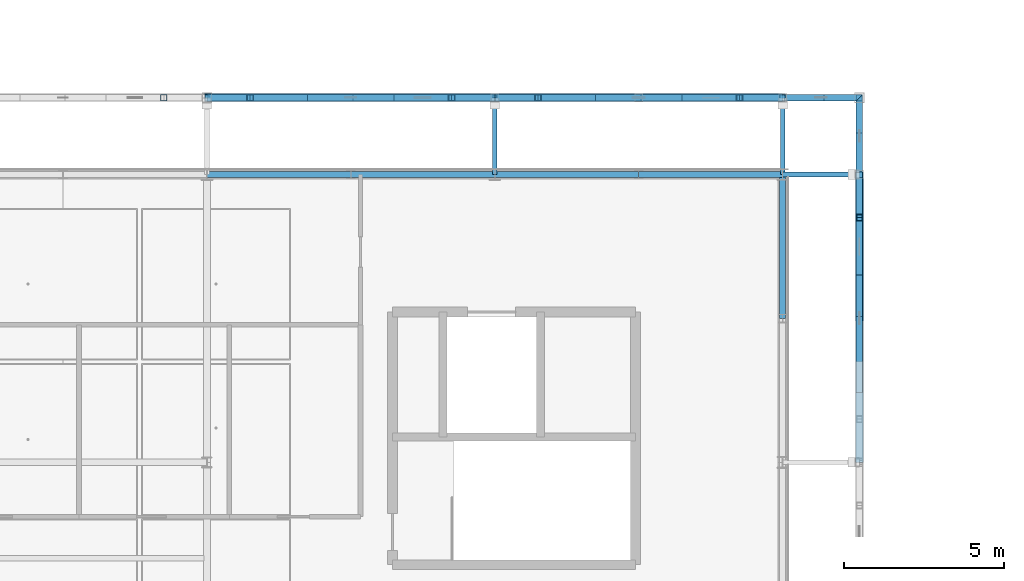
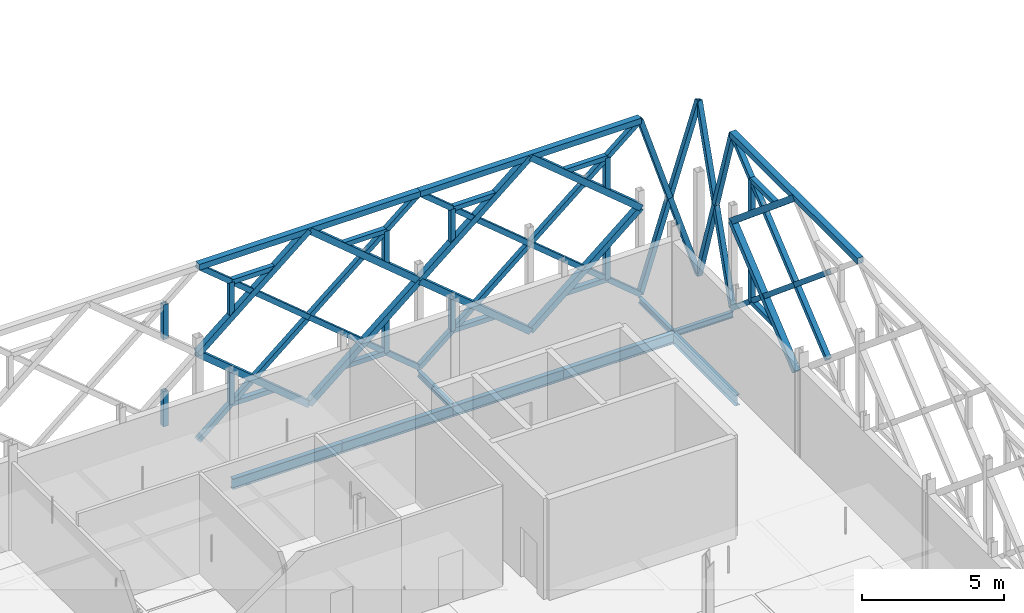
# One storey, part 26 of 66: 60 members, 8 beams.
"""IFC4 building model written with IfcOpenShell, lengths in metres."""

from ifc_helpers import new_model, si_unit, direction, frame, origin, origin_2d, place, context, subcontext, project, spatial, hollow_rectangle, i_section, extrude, material, material_profile, profile_set, type_object, element, save


model = new_model("IFC4")

# Units and contexts
model_context = context("Model", 3, precision=1e-05, world=origin(), true_north=direction((0.0, 1.0)))
body_context = subcontext(model_context, "Body", "Model", "MODEL_VIEW")
ifc_project = project(units=[si_unit("LENGTHUNIT", "METRE"), si_unit("AREAUNIT", "SQUARE_METRE"), si_unit("VOLUMEUNIT", "CUBIC_METRE"), si_unit("PLANEANGLEUNIT", "RADIAN"), si_unit("MASSUNIT", "GRAM", prefix="KILO"), si_unit("THERMODYNAMICTEMPERATUREUNIT", "KELVIN"), si_unit("POWERUNIT", "WATT")], contexts=[model_context])

# Site, building, storey
site_placement = place(None, origin())
site = spatial("IfcSite", under=ifc_project, at=site_placement, CompositionType="ELEMENT")
building_placement = place(site_placement, origin())
building = spatial("IfcBuilding", under=site, at=building_placement, Name="Tallowbark Science Centre", CompositionType="ELEMENT")
storey_placement = place(building_placement, frame((0.0, 0.0, 18.89990234375)))
storey = spatial("IfcBuildingStorey", under=building, at=storey_placement, Name="L04", CompositionType="ELEMENT", Elevation=18.89990234375)

# Beams
ifc_material_1 = material(Name="White Architectural Painted Steel Grade C350L0 (350 MPa)", Category="steel")
ifc_material_profile_1 = material_profile(ifc_material_1, i_section(OverallWidth=0.146484375, OverallDepth=0.256103515625, WebThickness=0.00634765625, FlangeThickness=0.010986328125, FilletRadius=0.0087890625, at=origin_2d()), Name="250UB37.3")
ifc_profile_set_1 = profile_set([ifc_material_profile_1], Name="White Architectural Painted Steel Grade C350L0 (350 MPa)")
beam_type_1 = type_object("IfcBeamType", Name="BM-OUT250", PredefinedType="BEAM", material=ifc_profile_set_1)
for number, where, z_axis, x_axis, name in (
    (1, (94.5, 40.5, -0.25), (0.0, 1.0, 0.0), (-1.0, 0.0, 0.0), "Star Screen Outrigger Tie Beam N-66"),
    (2, (103.5, 40.5, -0.25), (0.0, 1.0, 0.0), (-1.0, 0.0, 0.0), "Star Screen Outrigger Tie Beam N-68"),
    (3, (103.5, 40.5, -0.25), (1.0, 0.0, 0.0), (0.0, 1.0, 0.0), "Star Screen Outrigger Tie Beam E-78"),
):
    element("IfcBeam", number, at=place(storey_placement, frame(where, z_axis=z_axis, x_axis=x_axis)), inside=storey, type_object=beam_type_1, Name=name, PredefinedType="BEAM", context=body_context, shape_type="SweptSolid", body=[
        extrude(i_section(OverallWidth=0.146484375, OverallDepth=0.256103515625, WebThickness=0.00634765625, FlangeThickness=0.010986328125, FilletRadius=0.0087890625, at=origin_2d()), origin(), (0.0, 0.0, 1.0), 2.39990234375),
    ])

# Members
ifc_material_profile_2 = material_profile(ifc_material_1, hollow_rectangle(XDim=0.25, YDim=0.25, WallThickness=0.009033203125, at=origin_2d()), Name="250x250x9.0SHS")
ifc_profile_set_2 = profile_set([ifc_material_profile_2], Name="White Architectural Painted Steel Grade C350L0 (350 MPa)")
member_type_1 = type_object("IfcMemberType", Name="SCR-CHD200", PredefinedType="CHORD", material=ifc_profile_set_2)
member_1_placement = place(storey_placement, frame((85.5, 42.89990234375, 7.5), z_axis=(1.0, 0.0, 0.0), x_axis=(0.0, 1.0, 0.0)))
element("IfcMember", 4, at=member_1_placement, inside=storey, type_object=member_type_1, Name="Star Screen Frame Chord N-43", PredefinedType="CHORD", context=body_context, shape_type="SweptSolid", body=[
    extrude(hollow_rectangle(XDim=0.25, YDim=0.25, WallThickness=0.009033203125, at=origin_2d()), origin(), (0.0, 0.0, 1.0), 9.0),
])
for number, where, z_axis, x_axis, name in (
    (5, (90.0, 42.89990234375, 0.0), (0.768221279597, 0.0, 0.640184399664), (0.0, 1.0, 0.0), "Star Screen Octagram Diamond Chord N-43-1"),
    (6, (94.5, 42.89990234375, 3.75), (-0.768221279597, 0.0, 0.640184399664), (0.0, -1.0, 0.0), "Star Screen Octagram Diamond Chord N-43-2"),
    (7, (90.0, 42.89990234375, 7.5), (-0.768221279597, 0.0, -0.640184399664), (0.0, -1.0, 0.0), "Star Screen Octagram Diamond Chord N-43-3"),
    (8, (85.5, 42.89990234375, 3.75), (0.768221279597, 0.0, -0.640184399664), (0.0, 1.0, 0.0), "Star Screen Octagram Diamond Chord N-43-4"),
):
    element("IfcMember", number, at=place(storey_placement, frame(where, z_axis=z_axis, x_axis=x_axis)), inside=storey, type_object=member_type_1, Name=name, PredefinedType="CHORD", context=body_context, shape_type="SweptSolid", body=[
        extrude(hollow_rectangle(XDim=0.25, YDim=0.25, WallThickness=0.009033203125, at=origin_2d()), origin(), (0.0, 0.0, 1.0), 5.857666015625),
    ])
member_2_placement = place(storey_placement, frame((94.5, 42.89990234375, 7.5), z_axis=(1.0, 0.0, 0.0), x_axis=(0.0, 1.0, 0.0)))
element("IfcMember", 9, at=member_2_placement, inside=storey, type_object=member_type_1, Name="Star Screen Frame Chord N-45", PredefinedType="CHORD", context=body_context, shape_type="SweptSolid", body=[
    extrude(hollow_rectangle(XDim=0.25, YDim=0.25, WallThickness=0.009033203125, at=origin_2d()), origin(), (0.0, 0.0, 1.0), 9.0),
])
for number, where, z_axis, x_axis, name in (
    (10, (99.0, 42.89990234375, 0.0), (0.768221279597, 0.0, 0.640184399664), (0.0, 1.0, 0.0), "Star Screen Octagram Diamond Chord N-45-1"),
    (11, (103.5, 42.89990234375, 3.75), (-0.768221279597, 0.0, 0.640184399664), (0.0, -1.0, 0.0), "Star Screen Octagram Diamond Chord N-45-2"),
    (12, (99.0, 42.89990234375, 7.5), (-0.768221279597, 0.0, -0.640184399664), (0.0, -1.0, 0.0), "Star Screen Octagram Diamond Chord N-45-3"),
    (13, (94.5, 42.89990234375, 3.75), (0.768221279597, 0.0, -0.640184399664), (0.0, 1.0, 0.0), "Star Screen Octagram Diamond Chord N-45-4"),
):
    element("IfcMember", number, at=place(storey_placement, frame(where, z_axis=z_axis, x_axis=x_axis)), inside=storey, type_object=member_type_1, Name=name, PredefinedType="CHORD", context=body_context, shape_type="SweptSolid", body=[
        extrude(hollow_rectangle(XDim=0.25, YDim=0.25, WallThickness=0.009033203125, at=origin_2d()), origin(), (0.0, 0.0, 1.0), 5.857666015625),
    ])
member_3_placement = place(storey_placement, frame((105.89990234375, 31.5, 7.5), z_axis=(0.0, 1.0, 0.0), x_axis=(-1.0, 0.0, 0.0)))
element("IfcMember", 14, at=member_3_placement, inside=storey, type_object=member_type_1, Name="Star Screen Frame Chord E-53", PredefinedType="CHORD", context=body_context, shape_type="SweptSolid", body=[
    extrude(hollow_rectangle(XDim=0.25, YDim=0.25, WallThickness=0.009033203125, at=origin_2d()), origin(), (0.0, 0.0, 1.0), 9.0),
])
for number, where, z_axis, x_axis, name in (
    (15, (105.89990234375, 36.0, 0.0), (0.0, 0.768221279597, 0.640184399664), (-1.0, 0.0, 0.0), "Star Screen Octagram Diamond Chord E-53-1"),
    (16, (105.89990234375, 40.5, 3.75), (0.0, -0.768221279597, 0.640184399664), (1.0, 0.0, 0.0), "Star Screen Octagram Diamond Chord E-53-2"),
):
    element("IfcMember", number, at=place(storey_placement, frame(where, z_axis=z_axis, x_axis=x_axis)), inside=storey, type_object=member_type_1, Name=name, PredefinedType="CHORD", context=body_context, shape_type="SweptSolid", body=[
        extrude(hollow_rectangle(XDim=0.25, YDim=0.25, WallThickness=0.009033203125, at=origin_2d()), origin(), (0.0, 0.0, 1.0), 5.857666015625),
    ])
ifc_material_profile_3 = material_profile(ifc_material_1, hollow_rectangle(XDim=0.199951171875, YDim=0.199951171875, WallThickness=0.009033203125, at=origin_2d()), Name="200x200x9.0SHS")
ifc_profile_set_3 = profile_set([ifc_material_profile_3], Name="White Architectural Painted Steel Grade C350L0 (350 MPa)")
member_type_2 = type_object("IfcMemberType", Name="SCR-STAR139", PredefinedType="BRACE", material=ifc_profile_set_3)
member_4_placement = place(storey_placement, frame((85.5, 42.89990234375, 0.0), z_axis=(0.768221279597, 0.0, 0.640184399664), x_axis=(0.0, 1.0, 0.0)))
element("IfcMember", 17, at=member_4_placement, inside=storey, type_object=member_type_2, Name="Star Screen Continuous X-Diagonal D1A N-43", PredefinedType="BRACE", context=body_context, shape_type="SweptSolid", body=[
    extrude(hollow_rectangle(XDim=0.199951171875, YDim=0.199951171875, WallThickness=0.009033203125, at=origin_2d()), origin(), (0.0, 0.0, 1.0), 2.928955078125),
])
member_5_placement = place(storey_placement, frame((87.75, 42.89990234375, 1.875), z_axis=(0.768221279597, 0.0, 0.640184399664), x_axis=(0.0, 1.0, 0.0)))
element("IfcMember", 18, at=member_5_placement, inside=storey, type_object=member_type_2, Name="Star Screen Continuous X-Diagonal D1M N-43", PredefinedType="BRACE", context=body_context, shape_type="SweptSolid", body=[
    extrude(hollow_rectangle(XDim=0.199951171875, YDim=0.199951171875, WallThickness=0.009033203125, at=origin_2d()), origin(), (0.0, 0.0, 1.0), 5.857666015625),
])
for number, where, z_axis, x_axis, name in (
    (19, (92.25, 42.89990234375, 5.625), (0.768221279597, 0.0, 0.640184399664), (0.0, 1.0, 0.0), "Star Screen Continuous X-Diagonal D1B N-43"),
    (20, (85.5, 42.89990234375, 7.5), (0.768221279597, 0.0, -0.640184399664), (0.0, 1.0, 0.0), "Star Screen Split X-Diagonal D2A N-43"),
    (21, (87.75, 42.89990234375, 5.625), (0.768221279597, 0.0, -0.640184399664), (0.0, 1.0, 0.0), "Star Screen Split X-Diagonal D2B N-43"),
    (22, (90.0, 42.89990234375, 3.75), (0.768221279597, 0.0, -0.640184399664), (0.0, 1.0, 0.0), "Star Screen Split X-Diagonal D2C N-43"),
    (23, (92.25, 42.89990234375, 1.875), (0.768221279597, 0.0, -0.640184399664), (0.0, 1.0, 0.0), "Star Screen Split X-Diagonal D2D N-43"),
    (24, (94.5, 42.89990234375, 0.0), (0.768221279597, 0.0, 0.640184399664), (0.0, 1.0, 0.0), "Star Screen Continuous X-Diagonal D1A N-45"),
):
    element("IfcMember", number, at=place(storey_placement, frame(where, z_axis=z_axis, x_axis=x_axis)), inside=storey, type_object=member_type_2, Name=name, PredefinedType="BRACE", context=body_context, shape_type="SweptSolid", body=[
        extrude(hollow_rectangle(XDim=0.199951171875, YDim=0.199951171875, WallThickness=0.009033203125, at=origin_2d()), origin(), (0.0, 0.0, 1.0), 2.928955078125),
    ])
member_6_placement = place(storey_placement, frame((96.75, 42.89990234375, 1.875), z_axis=(0.768221279597, 0.0, 0.640184399664), x_axis=(0.0, 1.0, 0.0)))
element("IfcMember", 25, at=member_6_placement, inside=storey, type_object=member_type_2, Name="Star Screen Continuous X-Diagonal D1M N-45", PredefinedType="BRACE", context=body_context, shape_type="SweptSolid", body=[
    extrude(hollow_rectangle(XDim=0.199951171875, YDim=0.199951171875, WallThickness=0.009033203125, at=origin_2d()), origin(), (0.0, 0.0, 1.0), 5.857666015625),
])
for number, where, z_axis, x_axis, name in (
    (26, (101.25, 42.89990234375, 5.625), (0.768221279597, 0.0, 0.640184399664), (0.0, 1.0, 0.0), "Star Screen Continuous X-Diagonal D1B N-45"),
    (27, (94.5, 42.89990234375, 7.5), (0.768221279597, 0.0, -0.640184399664), (0.0, 1.0, 0.0), "Star Screen Split X-Diagonal D2A N-45"),
    (28, (96.75, 42.89990234375, 5.625), (0.768221279597, 0.0, -0.640184399664), (0.0, 1.0, 0.0), "Star Screen Split X-Diagonal D2B N-45"),
    (29, (99.0, 42.89990234375, 3.75), (0.768221279597, 0.0, -0.640184399664), (0.0, 1.0, 0.0), "Star Screen Split X-Diagonal D2C N-45"),
    (30, (101.25, 42.89990234375, 1.875), (0.768221279597, 0.0, -0.640184399664), (0.0, 1.0, 0.0), "Star Screen Split X-Diagonal D2D N-45"),
):
    element("IfcMember", number, at=place(storey_placement, frame(where, z_axis=z_axis, x_axis=x_axis)), inside=storey, type_object=member_type_2, Name=name, PredefinedType="BRACE", context=body_context, shape_type="SweptSolid", body=[
        extrude(hollow_rectangle(XDim=0.199951171875, YDim=0.199951171875, WallThickness=0.009033203125, at=origin_2d()), origin(), (0.0, 0.0, 1.0), 2.928955078125),
    ])
member_7_placement = place(storey_placement, frame((105.89990234375, 33.75, 1.875), z_axis=(0.0, 0.768221279597, 0.640184399664), x_axis=(-1.0, 0.0, 0.0)))
element("IfcMember", 31, at=member_7_placement, inside=storey, type_object=member_type_2, Name="Star Screen Continuous X-Diagonal D1M E-53", PredefinedType="BRACE", context=body_context, shape_type="SweptSolid", body=[
    extrude(hollow_rectangle(XDim=0.199951171875, YDim=0.199951171875, WallThickness=0.009033203125, at=origin_2d()), origin(), (0.0, 0.0, 1.0), 5.857666015625),
])
for number, where, z_axis, x_axis, name in (
    (32, (105.89990234375, 38.25, 5.625), (0.0, 0.768221279597, 0.640184399664), (-1.0, 0.0, 0.0), "Star Screen Continuous X-Diagonal D1B E-53"),
    (33, (105.89990234375, 33.75, 5.625), (0.0, 0.768221279597, -0.640184399664), (-1.0, 0.0, 0.0), "Star Screen Split X-Diagonal D2B E-53"),
    (34, (105.89990234375, 36.0, 3.75), (0.0, 0.768221279597, -0.640184399664), (-1.0, 0.0, 0.0), "Star Screen Split X-Diagonal D2C E-53"),
    (35, (105.89990234375, 38.25, 1.875), (0.0, 0.768221279597, -0.640184399664), (-1.0, 0.0, 0.0), "Star Screen Split X-Diagonal D2D E-53"),
):
    element("IfcMember", number, at=place(storey_placement, frame(where, z_axis=z_axis, x_axis=x_axis)), inside=storey, type_object=member_type_2, Name=name, PredefinedType="BRACE", context=body_context, shape_type="SweptSolid", body=[
        extrude(hollow_rectangle(XDim=0.199951171875, YDim=0.199951171875, WallThickness=0.009033203125, at=origin_2d()), origin(), (0.0, 0.0, 1.0), 2.928955078125),
    ])
member_8_placement = place(storey_placement, frame((103.5, 42.89990234375, 0.0), z_axis=(0.304764477624, 0.0, 0.95242774696), x_axis=(0.0, 1.0, 0.0)))
element("IfcMember", 36, at=member_8_placement, inside=storey, type_object=member_type_2, Name="Star Screen Corner Continuous Diagonal NEX-L04", PredefinedType="BRACE", context=body_context, shape_type="SweptSolid", body=[
    extrude(hollow_rectangle(XDim=0.199951171875, YDim=0.199951171875, WallThickness=0.009033203125, at=origin_2d()), origin(), (0.0, 0.0, 1.0), 7.87451171875),
])
for number, where, z_axis, x_axis, name in (
    (37, (105.89990234375, 42.89990234375, 0.0), (-0.304764477624, 0.0, 0.95242774696), (0.0, -1.0, 0.0), "Star Screen Corner Split Diagonal A NEX-L04"),
    (38, (104.699951171875, 42.89990234375, 3.75), (-0.304764477624, 0.0, 0.95242774696), (0.0, -1.0, 0.0), "Star Screen Corner Split Diagonal B NEX-L04"),
):
    element("IfcMember", number, at=place(storey_placement, frame(where, z_axis=z_axis, x_axis=x_axis)), inside=storey, type_object=member_type_2, Name=name, PredefinedType="BRACE", context=body_context, shape_type="SweptSolid", body=[
        extrude(hollow_rectangle(XDim=0.199951171875, YDim=0.199951171875, WallThickness=0.009033203125, at=origin_2d()), origin(), (0.0, 0.0, 1.0), 3.937255859375),
    ])
member_9_placement = place(storey_placement, frame((105.89990234375, 40.5, 0.0), z_axis=(0.0, 0.304764477624, 0.95242774696), x_axis=(-1.0, 0.0, 0.0)))
element("IfcMember", 39, at=member_9_placement, inside=storey, type_object=member_type_2, Name="Star Screen Corner Continuous Diagonal NEY-L04", PredefinedType="BRACE", context=body_context, shape_type="SweptSolid", body=[
    extrude(hollow_rectangle(XDim=0.199951171875, YDim=0.199951171875, WallThickness=0.009033203125, at=origin_2d()), origin(), (0.0, 0.0, 1.0), 7.87451171875),
])
for number, where, z_axis, x_axis, name in (
    (40, (105.89990234375, 42.89990234375, 0.0), (0.0, -0.304764477624, 0.95242774696), (1.0, 0.0, 0.0), "Star Screen Corner Split Diagonal A NEY-L04"),
    (41, (105.89990234375, 41.699951171875, 3.75), (0.0, -0.304764477624, 0.95242774696), (1.0, 0.0, 0.0), "Star Screen Corner Split Diagonal B NEY-L04"),
):
    element("IfcMember", number, at=place(storey_placement, frame(where, z_axis=z_axis, x_axis=x_axis)), inside=storey, type_object=member_type_2, Name=name, PredefinedType="BRACE", context=body_context, shape_type="SweptSolid", body=[
        extrude(hollow_rectangle(XDim=0.199951171875, YDim=0.199951171875, WallThickness=0.009033203125, at=origin_2d()), origin(), (0.0, 0.0, 1.0), 3.937255859375),
    ])
ifc_material_profile_4 = material_profile(ifc_material_1, hollow_rectangle(XDim=0.199951171875, YDim=0.199951171875, WallThickness=0.009033203125, at=origin_2d()), Name="200x200x9.0SHS")
ifc_profile_set_4 = profile_set([ifc_material_profile_4], Name="White Architectural Painted Steel Grade C350L0 (350 MPa)")
member_type_3 = type_object("IfcMemberType", Name="SCR-SUB150", PredefinedType="BRACE", material=ifc_profile_set_4)
for number, where, z_axis, x_axis, name in (
    (42, (84.14990234375, 42.89990234375, 1.125), (0.0, 0.0, 1.0), (1.0, 0.0, 0.0), "Star Screen Octagram Point Ray N-41-4"),
    (43, (84.14990234375, 42.89990234375, 6.375), (0.0, 0.0, -1.0), (1.0, 0.0, 0.0), "Star Screen Octagram Point Ray N-41-6"),
):
    element("IfcMember", number, at=place(storey_placement, frame(where, z_axis=z_axis, x_axis=x_axis)), inside=storey, type_object=member_type_3, Name=name, PredefinedType="BRACE", context=body_context, shape_type="SweptSolid", body=[
        extrude(hollow_rectangle(XDim=0.199951171875, YDim=0.199951171875, WallThickness=0.009033203125, at=origin_2d()), origin(), (0.0, 0.0, 1.0), 1.5),
    ])
member_10_placement = place(storey_placement, frame((86.85009765625, 42.89990234375, 1.125), z_axis=(1.0, 0.0, 0.0), x_axis=(0.0, 1.0, 0.0)))
element("IfcMember", 44, at=member_10_placement, inside=storey, type_object=member_type_3, Name="Star Screen Octagram Point Ray N-43-1", PredefinedType="BRACE", context=body_context, shape_type="SweptSolid", body=[
    extrude(hollow_rectangle(XDim=0.199951171875, YDim=0.199951171875, WallThickness=0.009033203125, at=origin_2d()), origin(), (0.0, 0.0, 1.0), 1.7998046875),
])
member_11_placement = place(storey_placement, frame((86.85009765625, 42.89990234375, 1.125), z_axis=(0.0, 0.0, 1.0), x_axis=(1.0, 0.0, 0.0)))
element("IfcMember", 45, at=member_11_placement, inside=storey, type_object=member_type_3, Name="Star Screen Octagram Point Ray N-43-2", PredefinedType="BRACE", context=body_context, shape_type="SweptSolid", body=[
    extrude(hollow_rectangle(XDim=0.199951171875, YDim=0.199951171875, WallThickness=0.009033203125, at=origin_2d()), origin(), (0.0, 0.0, 1.0), 1.5),
])
member_12_placement = place(storey_placement, frame((93.14990234375, 42.89990234375, 1.125), z_axis=(-1.0, 0.0, 0.0), x_axis=(0.0, -1.0, 0.0)))
element("IfcMember", 46, at=member_12_placement, inside=storey, type_object=member_type_3, Name="Star Screen Octagram Point Ray N-43-3", PredefinedType="BRACE", context=body_context, shape_type="SweptSolid", body=[
    extrude(hollow_rectangle(XDim=0.199951171875, YDim=0.199951171875, WallThickness=0.009033203125, at=origin_2d()), origin(), (0.0, 0.0, 1.0), 1.7998046875),
])
member_13_placement = place(storey_placement, frame((93.14990234375, 42.89990234375, 1.125), z_axis=(0.0, 0.0, 1.0), x_axis=(1.0, 0.0, 0.0)))
element("IfcMember", 47, at=member_13_placement, inside=storey, type_object=member_type_3, Name="Star Screen Octagram Point Ray N-43-4", PredefinedType="BRACE", context=body_context, shape_type="SweptSolid", body=[
    extrude(hollow_rectangle(XDim=0.199951171875, YDim=0.199951171875, WallThickness=0.009033203125, at=origin_2d()), origin(), (0.0, 0.0, 1.0), 1.5),
])
member_14_placement = place(storey_placement, frame((93.14990234375, 42.89990234375, 6.375), z_axis=(-1.0, 0.0, 0.0), x_axis=(0.0, -1.0, 0.0)))
element("IfcMember", 48, at=member_14_placement, inside=storey, type_object=member_type_3, Name="Star Screen Octagram Point Ray N-43-5", PredefinedType="BRACE", context=body_context, shape_type="SweptSolid", body=[
    extrude(hollow_rectangle(XDim=0.199951171875, YDim=0.199951171875, WallThickness=0.009033203125, at=origin_2d()), origin(), (0.0, 0.0, 1.0), 1.7998046875),
])
member_15_placement = place(storey_placement, frame((93.14990234375, 42.89990234375, 6.375), z_axis=(0.0, 0.0, -1.0), x_axis=(1.0, 0.0, 0.0)))
element("IfcMember", 49, at=member_15_placement, inside=storey, type_object=member_type_3, Name="Star Screen Octagram Point Ray N-43-6", PredefinedType="BRACE", context=body_context, shape_type="SweptSolid", body=[
    extrude(hollow_rectangle(XDim=0.199951171875, YDim=0.199951171875, WallThickness=0.009033203125, at=origin_2d()), origin(), (0.0, 0.0, 1.0), 1.5),
])
member_16_placement = place(storey_placement, frame((86.85009765625, 42.89990234375, 6.375), z_axis=(1.0, 0.0, 0.0), x_axis=(0.0, 1.0, 0.0)))
element("IfcMember", 50, at=member_16_placement, inside=storey, type_object=member_type_3, Name="Star Screen Octagram Point Ray N-43-7", PredefinedType="BRACE", context=body_context, shape_type="SweptSolid", body=[
    extrude(hollow_rectangle(XDim=0.199951171875, YDim=0.199951171875, WallThickness=0.009033203125, at=origin_2d()), origin(), (0.0, 0.0, 1.0), 1.7998046875),
])
member_17_placement = place(storey_placement, frame((86.85009765625, 42.89990234375, 6.375), z_axis=(0.0, 0.0, -1.0), x_axis=(1.0, 0.0, 0.0)))
element("IfcMember", 51, at=member_17_placement, inside=storey, type_object=member_type_3, Name="Star Screen Octagram Point Ray N-43-8", PredefinedType="BRACE", context=body_context, shape_type="SweptSolid", body=[
    extrude(hollow_rectangle(XDim=0.199951171875, YDim=0.199951171875, WallThickness=0.009033203125, at=origin_2d()), origin(), (0.0, 0.0, 1.0), 1.5),
])
member_18_placement = place(storey_placement, frame((95.85009765625, 42.89990234375, 1.125), z_axis=(1.0, 0.0, 0.0), x_axis=(0.0, 1.0, 0.0)))
element("IfcMember", 52, at=member_18_placement, inside=storey, type_object=member_type_3, Name="Star Screen Octagram Point Ray N-45-1", PredefinedType="BRACE", context=body_context, shape_type="SweptSolid", body=[
    extrude(hollow_rectangle(XDim=0.199951171875, YDim=0.199951171875, WallThickness=0.009033203125, at=origin_2d()), origin(), (0.0, 0.0, 1.0), 1.7998046875),
])
member_19_placement = place(storey_placement, frame((95.85009765625, 42.89990234375, 1.125), z_axis=(0.0, 0.0, 1.0), x_axis=(1.0, 0.0, 0.0)))
element("IfcMember", 53, at=member_19_placement, inside=storey, type_object=member_type_3, Name="Star Screen Octagram Point Ray N-45-2", PredefinedType="BRACE", context=body_context, shape_type="SweptSolid", body=[
    extrude(hollow_rectangle(XDim=0.199951171875, YDim=0.199951171875, WallThickness=0.009033203125, at=origin_2d()), origin(), (0.0, 0.0, 1.0), 1.5),
])
member_20_placement = place(storey_placement, frame((102.14990234375, 42.89990234375, 1.125), z_axis=(-1.0, 0.0, 0.0), x_axis=(0.0, -1.0, 0.0)))
element("IfcMember", 54, at=member_20_placement, inside=storey, type_object=member_type_3, Name="Star Screen Octagram Point Ray N-45-3", PredefinedType="BRACE", context=body_context, shape_type="SweptSolid", body=[
    extrude(hollow_rectangle(XDim=0.199951171875, YDim=0.199951171875, WallThickness=0.009033203125, at=origin_2d()), origin(), (0.0, 0.0, 1.0), 1.7998046875),
])
member_21_placement = place(storey_placement, frame((102.14990234375, 42.89990234375, 1.125), z_axis=(0.0, 0.0, 1.0), x_axis=(1.0, 0.0, 0.0)))
element("IfcMember", 55, at=member_21_placement, inside=storey, type_object=member_type_3, Name="Star Screen Octagram Point Ray N-45-4", PredefinedType="BRACE", context=body_context, shape_type="SweptSolid", body=[
    extrude(hollow_rectangle(XDim=0.199951171875, YDim=0.199951171875, WallThickness=0.009033203125, at=origin_2d()), origin(), (0.0, 0.0, 1.0), 1.5),
])
member_22_placement = place(storey_placement, frame((102.14990234375, 42.89990234375, 6.375), z_axis=(-1.0, 0.0, 0.0), x_axis=(0.0, -1.0, 0.0)))
element("IfcMember", 56, at=member_22_placement, inside=storey, type_object=member_type_3, Name="Star Screen Octagram Point Ray N-45-5", PredefinedType="BRACE", context=body_context, shape_type="SweptSolid", body=[
    extrude(hollow_rectangle(XDim=0.199951171875, YDim=0.199951171875, WallThickness=0.009033203125, at=origin_2d()), origin(), (0.0, 0.0, 1.0), 1.7998046875),
])
member_23_placement = place(storey_placement, frame((102.14990234375, 42.89990234375, 6.375), z_axis=(0.0, 0.0, -1.0), x_axis=(1.0, 0.0, 0.0)))
element("IfcMember", 57, at=member_23_placement, inside=storey, type_object=member_type_3, Name="Star Screen Octagram Point Ray N-45-6", PredefinedType="BRACE", context=body_context, shape_type="SweptSolid", body=[
    extrude(hollow_rectangle(XDim=0.199951171875, YDim=0.199951171875, WallThickness=0.009033203125, at=origin_2d()), origin(), (0.0, 0.0, 1.0), 1.5),
])
member_24_placement = place(storey_placement, frame((95.85009765625, 42.89990234375, 6.375), z_axis=(1.0, 0.0, 0.0), x_axis=(0.0, 1.0, 0.0)))
element("IfcMember", 58, at=member_24_placement, inside=storey, type_object=member_type_3, Name="Star Screen Octagram Point Ray N-45-7", PredefinedType="BRACE", context=body_context, shape_type="SweptSolid", body=[
    extrude(hollow_rectangle(XDim=0.199951171875, YDim=0.199951171875, WallThickness=0.009033203125, at=origin_2d()), origin(), (0.0, 0.0, 1.0), 1.7998046875),
])
member_25_placement = place(storey_placement, frame((95.85009765625, 42.89990234375, 6.375), z_axis=(0.0, 0.0, -1.0), x_axis=(1.0, 0.0, 0.0)))
element("IfcMember", 59, at=member_25_placement, inside=storey, type_object=member_type_3, Name="Star Screen Octagram Point Ray N-45-8", PredefinedType="BRACE", context=body_context, shape_type="SweptSolid", body=[
    extrude(hollow_rectangle(XDim=0.199951171875, YDim=0.199951171875, WallThickness=0.009033203125, at=origin_2d()), origin(), (0.0, 0.0, 1.0), 1.5),
])
member_26_placement = place(storey_placement, frame((105.89990234375, 39.14990234375, 1.125), z_axis=(0.0, -1.0, 0.0), x_axis=(1.0, 0.0, 0.0)))
element("IfcMember", 60, at=member_26_placement, inside=storey, type_object=member_type_3, Name="Star Screen Octagram Point Ray E-53-3", PredefinedType="BRACE", context=body_context, shape_type="SweptSolid", body=[
    extrude(hollow_rectangle(XDim=0.199951171875, YDim=0.199951171875, WallThickness=0.009033203125, at=origin_2d()), origin(), (0.0, 0.0, 1.0), 1.7998046875),
])
member_27_placement = place(storey_placement, frame((105.89990234375, 39.14990234375, 1.125), z_axis=(0.0, 0.0, 1.0), x_axis=(1.0, 0.0, 0.0)))
element("IfcMember", 61, at=member_27_placement, inside=storey, type_object=member_type_3, Name="Star Screen Octagram Point Ray E-53-4", PredefinedType="BRACE", context=body_context, shape_type="SweptSolid", body=[
    extrude(hollow_rectangle(XDim=0.199951171875, YDim=0.199951171875, WallThickness=0.009033203125, at=origin_2d()), origin(), (0.0, 0.0, 1.0), 1.5),
])
member_28_placement = place(storey_placement, frame((105.89990234375, 39.14990234375, 6.375), z_axis=(0.0, -1.0, 0.0), x_axis=(1.0, 0.0, 0.0)))
element("IfcMember", 62, at=member_28_placement, inside=storey, type_object=member_type_3, Name="Star Screen Octagram Point Ray E-53-5", PredefinedType="BRACE", context=body_context, shape_type="SweptSolid", body=[
    extrude(hollow_rectangle(XDim=0.199951171875, YDim=0.199951171875, WallThickness=0.009033203125, at=origin_2d()), origin(), (0.0, 0.0, 1.0), 1.7998046875),
])
member_29_placement = place(storey_placement, frame((105.89990234375, 39.14990234375, 6.375), z_axis=(0.0, 0.0, -1.0), x_axis=(1.0, 0.0, 0.0)))
element("IfcMember", 63, at=member_29_placement, inside=storey, type_object=member_type_3, Name="Star Screen Octagram Point Ray E-53-6", PredefinedType="BRACE", context=body_context, shape_type="SweptSolid", body=[
    extrude(hollow_rectangle(XDim=0.199951171875, YDim=0.199951171875, WallThickness=0.009033203125, at=origin_2d()), origin(), (0.0, 0.0, 1.0), 1.5),
])

# Beams
ifc_material_2 = material(Name="Structural Steel Grade 300PLUS (300 MPa)", Category="steel")
ifc_material_profile_5 = material_profile(ifc_material_2, i_section(OverallWidth=0.18994140625, OverallDepth=0.453857421875, WebThickness=0.008544921875, FlangeThickness=0.0126953125, FilletRadius=0.011474609375, at=origin_2d()), Name="460UB67.1")
ifc_profile_set_5 = profile_set([ifc_material_profile_5], Name="Structural Steel Grade 300PLUS (300 MPa)")
beam_type_2 = type_object("IfcBeamType", Name="SPN-UB460", PredefinedType="SPANDREL", material=ifc_profile_set_5)
for number, where, z_axis, x_axis, name in (
    (64, (85.5, 40.5, -0.40673828125), (1.0, 0.0, 0.0), (0.0, 1.0, 0.0), "Primary Girder GRDX-L04-855-900-405"),
    (65, (90.0, 40.5, -0.40673828125), (1.0, 0.0, 0.0), (0.0, 1.0, 0.0), "Primary Girder GRDX-L04-900-945-405"),
    (66, (94.5, 40.5, -0.40673828125), (1.0, 0.0, 0.0), (0.0, 1.0, 0.0), "Primary Girder GRDX-L04-945-990-405"),
    (67, (99.0, 40.5, -0.40673828125), (1.0, 0.0, 0.0), (0.0, 1.0, 0.0), "Primary Girder GRDX-L04-990-1035-405"),
    (68, (103.5, 36.0, -0.40673828125), (0.0, 1.0, 0.0), (-1.0, 0.0, 0.0), "Primary Girder GRDY-L04-1035-360-405"),
):
    element("IfcBeam", number, at=place(storey_placement, frame(where, z_axis=z_axis, x_axis=x_axis)), inside=storey, type_object=beam_type_2, Name=name, PredefinedType="SPANDREL", context=body_context, shape_type="SweptSolid", body=[
        extrude(i_section(OverallWidth=0.18994140625, OverallDepth=0.453857421875, WebThickness=0.008544921875, FlangeThickness=0.0126953125, FilletRadius=0.011474609375, at=origin_2d()), origin(), (0.0, 0.0, 1.0), 4.5),
    ])

save(model, "model.ifc")
